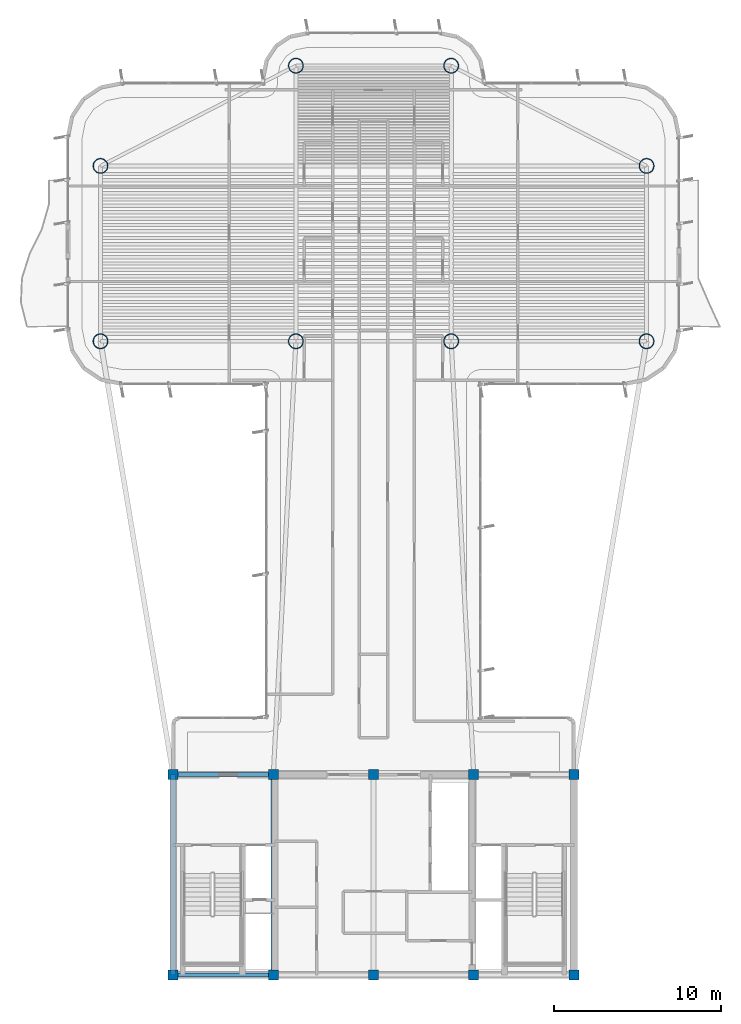
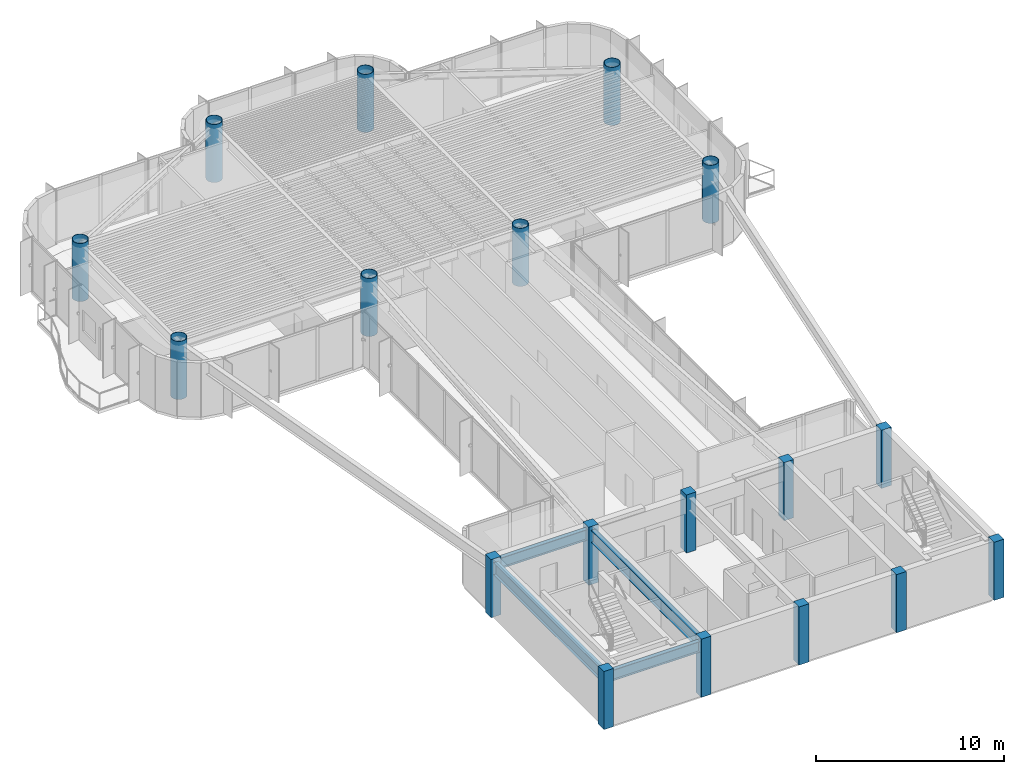
# One storey, part 1 of 16: 18 columns, 4 beams.
"""IFC4 building model written with IfcOpenShell, lengths in metres."""

from ifc_helpers import new_model, si_unit, direction, frame, origin, origin_2d, place, context, subcontext, project, spatial, rectangle, hollow_circle, i_section, extrude, source, transform, mapped, material, material_profile, profile_set, type_object, element, save


model = new_model("IFC4")

# Units and contexts
model_context = context("Model", 3, precision=1e-05, world=origin(), true_north=direction((0.0, 1.0)))
body_context = subcontext(model_context, "Body", "Model", "MODEL_VIEW")
ifc_project = project(units=[si_unit("LENGTHUNIT", "METRE"), si_unit("AREAUNIT", "SQUARE_METRE"), si_unit("VOLUMEUNIT", "CUBIC_METRE"), si_unit("PLANEANGLEUNIT", "RADIAN"), si_unit("MASSUNIT", "GRAM", prefix="KILO")], contexts=[model_context])

# Site, building, storey
site_placement = place(None, origin())
site = spatial("IfcSite", under=ifc_project, at=site_placement, CompositionType="ELEMENT")
building_placement = place(site_placement, origin())
building = spatial("IfcBuilding", under=site, at=building_placement, Name="Brelvock Crest Care Tower", CompositionType="ELEMENT")
storey_placement = place(building_placement, frame((0.0, 0.0, 238.139892578125)))
storey = spatial("IfcBuildingStorey", under=building, at=storey_placement, Name="L60", CompositionType="ELEMENT", Elevation=238.139892578125)

# Columns
ifc_material_1 = material(Name="Concrete S65 (65 MPa)", Category="concrete")
ifc_material_profile_1 = material_profile(ifc_material_1, rectangle(XDim=0.60009765625, YDim=0.60009765625, at=origin_2d()), Name="RC600x600")
ifc_profile_set_1 = profile_set([ifc_material_profile_1], Name="Concrete S65 (65 MPa)")
column_type_1 = type_object("IfcColumnType", Name="COL-RC4", PredefinedType="COLUMN", material=ifc_profile_set_1)
shared_shape_1 = source(origin(), body_context, "Body", "SweptSolid", [
    extrude(rectangle(XDim=0.60009765625, YDim=0.60009765625, at=origin_2d()), origin(), (0.0, 0.0, 1.0), 3.780029296875),
])
for number, where, z_axis, x_axis, name in (
    (1, (24.0, 6.0, 0.0), (0.0, 0.0, 1.0), (1.0, 0.0, 0.0), "L60 Core Column CC-01"),
    (2, (30.0, 6.0, 0.0), (0.0, 0.0, 1.0), (1.0, 0.0, 0.0), "L60 Core Column CC-02"),
    (3, (36.0, 6.0, 0.0), (0.0, 0.0, 1.0), (1.0, 0.0, 0.0), "L60 Core Column CC-03"),
    (4, (42.0, 6.0, 0.0), (0.0, 0.0, 1.0), (1.0, 0.0, 0.0), "L60 Core Column CC-04"),
    (5, (48.0, 6.0, 0.0), (0.0, 0.0, 1.0), (1.0, 0.0, 0.0), "L60 Core Column CC-05"),
    (6, (24.0, 18.0, 0.0), (0.0, 0.0, 1.0), (1.0, 0.0, 0.0), "L60 Core Column CC-06"),
    (7, (30.0, 18.0, 0.0), (0.0, 0.0, 1.0), (1.0, 0.0, 0.0), "L60 Core Column CC-07"),
    (8, (36.0, 18.0, 0.0), (0.0, 0.0, 1.0), (1.0, 0.0, 0.0), "L60 Core Column CC-08"),
    (9, (42.0, 18.0, 0.0), (0.0, 0.0, 1.0), (1.0, 0.0, 0.0), "L60 Core Column CC-09"),
    (10, (48.0, 18.0, 0.0), (0.0, 0.0, 1.0), (1.0, 0.0, 0.0), "L60 Core Column CC-10"),
):
    element("IfcColumn", number, at=place(storey_placement, frame(where, z_axis=z_axis, x_axis=x_axis)), inside=storey, type_object=column_type_1, Name=name, PredefinedType="COLUMN", context=body_context, shape_type="MappedRepresentation", body=[
        mapped(shared_shape_1, transform((0.0, 0.0, 0.0), x_axis=(1.0, 0.0, 0.0), y_axis=(0.0, 1.0, 0.0), z_axis=(0.0, 0.0, 1.0), scale=1.0)),
    ])
ifc_material_2 = material(Name="Steel Grade 350", Category="steel")
ifc_material_profile_2 = material_profile(ifc_material_2, hollow_circle(Radius=0.449951171875, WallThickness=0.031982421875, at=origin_2d()), Name="CFT900x32")
ifc_profile_set_2 = profile_set([ifc_material_profile_2], Name="Steel Grade 350")
column_type_2 = type_object("IfcColumnType", Name="COL-MC4", PredefinedType="COLUMN", material=ifc_profile_set_2)
shared_shape_2 = source(origin(), body_context, "Body", "SweptSolid", [
    extrude(hollow_circle(Radius=0.449951171875, WallThickness=0.031982421875, at=origin_2d()), origin(), (0.0, 0.0, 1.0), 3.780029296875),
])
for number, where, z_axis, x_axis, name in (
    (11, (19.64990234375, 43.949951171875, 0.0), (0.0, 0.0, 1.0), (1.0, 0.0, 0.0), "L60 Tower Column M1"),
    (12, (19.64990234375, 54.449951171875, 0.0), (0.0, 0.0, 1.0), (1.0, 0.0, 0.0), "L60 Tower Column M2"),
    (13, (52.35009765625, 43.949951171875, 0.0), (0.0, 0.0, 1.0), (1.0, 0.0, 0.0), "L60 Tower Column M3"),
    (14, (52.35009765625, 54.449951171875, 0.0), (0.0, 0.0, 1.0), (1.0, 0.0, 0.0), "L60 Tower Column M4"),
    (15, (31.35009765625, 43.949951171875, 0.0), (0.0, 0.0, 1.0), (1.0, 0.0, 0.0), "L60 Tower Column M5"),
    (16, (40.64990234375, 43.949951171875, 0.0), (0.0, 0.0, 1.0), (1.0, 0.0, 0.0), "L60 Tower Column M6"),
    (17, (31.35009765625, 60.449951171875, 0.0), (0.0, 0.0, 1.0), (1.0, 0.0, 0.0), "L60 Tower Column M7"),
    (18, (40.64990234375, 60.449951171875, 0.0), (0.0, 0.0, 1.0), (1.0, 0.0, 0.0), "L60 Tower Column M8"),
):
    element("IfcColumn", number, at=place(storey_placement, frame(where, z_axis=z_axis, x_axis=x_axis)), inside=storey, type_object=column_type_2, Name=name, PredefinedType="COLUMN", context=body_context, shape_type="MappedRepresentation", body=[
        mapped(shared_shape_2, transform((0.0, 0.0, 0.0), x_axis=(1.0, 0.0, 0.0), y_axis=(0.0, 1.0, 0.0), z_axis=(0.0, 0.0, 1.0), scale=1.0)),
    ])

# Beams
ifc_material_profile_3 = material_profile(ifc_material_2, i_section(OverallWidth=0.25, OverallDepth=0.699951171875, WebThickness=0.011962890625, FlangeThickness=0.02001953125, at=origin_2d()), Name="700WB150")
ifc_profile_set_3 = profile_set([ifc_material_profile_3], Name="Steel Grade 350")
beam_type_1 = type_object("IfcBeamType", Name="BM-G4", PredefinedType="BEAM", material=ifc_profile_set_3)
shared_shape_3 = source(origin(), body_context, "Body", "SweptSolid", [
    extrude(i_section(OverallWidth=0.25, OverallDepth=0.699951171875, WebThickness=0.011962890625, FlangeThickness=0.02001953125, at=origin_2d()), origin(), (0.0, 0.0, 1.0), 6.0),
])
for number, where, z_axis, x_axis, name in (
    (19, (24.0, 6.0, 3.18017578125), (1.0, 0.0, 0.0), (0.0, 1.0, 0.0), "BM-CORES-L60-1"),
    (20, (24.0, 18.0, 3.18017578125), (1.0, 0.0, 0.0), (0.0, 1.0, 0.0), "BM-COREN-L60-1"),
):
    element("IfcBeam", number, at=place(storey_placement, frame(where, z_axis=z_axis, x_axis=x_axis)), inside=storey, type_object=beam_type_1, Name=name, PredefinedType="BEAM", context=body_context, shape_type="MappedRepresentation", body=[
        mapped(shared_shape_3, transform((0.0, 0.0, 0.0), x_axis=(1.0, 0.0, 0.0), y_axis=(0.0, 1.0, 0.0), z_axis=(0.0, 0.0, 1.0), scale=1.0)),
    ])
ifc_material_profile_4 = material_profile(ifc_material_2, i_section(OverallWidth=0.300048828125, OverallDepth=0.800048828125, WebThickness=0.013916015625, FlangeThickness=0.02197265625, at=origin_2d()), Name="800WB192")
ifc_profile_set_4 = profile_set([ifc_material_profile_4], Name="Steel Grade 350")
beam_type_2 = type_object("IfcBeamType", Name="BM-G5", PredefinedType="BEAM", material=ifc_profile_set_4)
shared_shape_4 = source(origin(), body_context, "Body", "SweptSolid", [
    extrude(i_section(OverallWidth=0.300048828125, OverallDepth=0.800048828125, WebThickness=0.013916015625, FlangeThickness=0.02197265625, at=origin_2d()), origin(), (0.0, 0.0, 1.0), 12.0),
])
for number, where, z_axis, x_axis, name in (
    (21, (24.0, 6.0, 3.130126953125), (0.0, 1.0, 0.0), (-1.0, 0.0, 0.0), "BM-COREX-L60-1"),
    (22, (30.0, 6.0, 3.130126953125), (0.0, 1.0, 0.0), (-1.0, 0.0, 0.0), "BM-COREX-L60-2"),
):
    element("IfcBeam", number, at=place(storey_placement, frame(where, z_axis=z_axis, x_axis=x_axis)), inside=storey, type_object=beam_type_2, Name=name, PredefinedType="BEAM", context=body_context, shape_type="MappedRepresentation", body=[
        mapped(shared_shape_4, transform((0.0, 0.0, 0.0), x_axis=(1.0, 0.0, 0.0), y_axis=(0.0, 1.0, 0.0), z_axis=(0.0, 0.0, 1.0), scale=1.0)),
    ])

save(model, "model.ifc")
